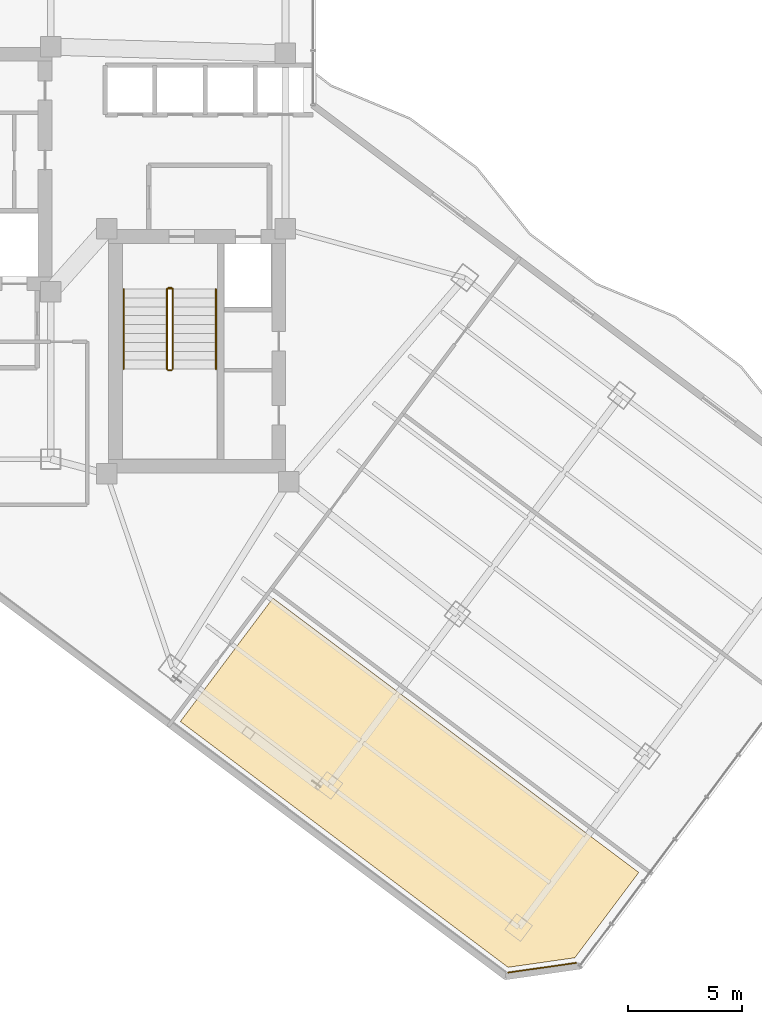
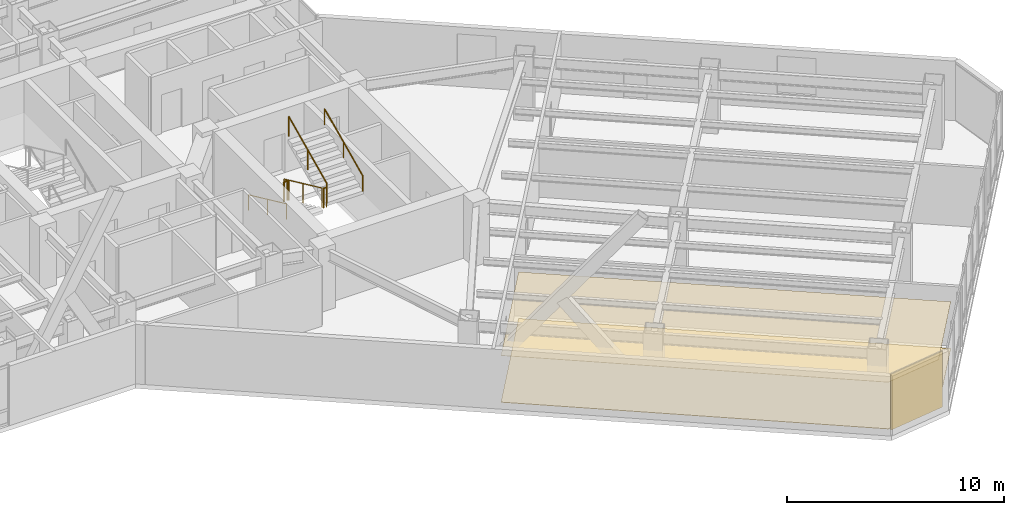
# One storey, part 26 of 29: 7 railings, 3 coverings.
"""IFC4 building model written with IfcOpenShell, lengths in metres."""

from ifc_helpers import new_model, si_unit, direction, frame, origin, origin_2d, place, context, subcontext, project, spatial, polyline, rectangle, circle, outline, extrude, material, layer, layer_set, type_object, element, save


model = new_model("IFC4")

# Units and contexts
model_context = context("Model", 3, precision=1e-05, world=origin(), true_north=direction((0.0, 1.0)))
body_context = subcontext(model_context, "Body", "Model", "MODEL_VIEW")
ifc_project = project(units=[si_unit("LENGTHUNIT", "METRE"), si_unit("AREAUNIT", "SQUARE_METRE"), si_unit("VOLUMEUNIT", "CUBIC_METRE"), si_unit("PLANEANGLEUNIT", "RADIAN"), si_unit("MASSUNIT", "GRAM", prefix="KILO")], contexts=[model_context])

# Site, building, storey
site_placement = place(None, origin())
site = spatial("IfcSite", under=ifc_project, at=site_placement, CompositionType="ELEMENT")
building_placement = place(site_placement, origin())
building = spatial("IfcBuilding", under=site, at=building_placement, Name="Hatsunagi Terrace Concourse", CompositionType="ELEMENT")
storey_placement = place(building_placement, frame((0.0, 0.0, 119.25)))
storey = spatial("IfcBuildingStorey", under=building, at=storey_placement, Name="L31", CompositionType="ELEMENT", Elevation=119.25)

# Coverings
ifc_material_1 = material(Name="Acoustic mineral board", Category="gypsum")
ifc_layer_1 = layer(ifc_material_1, 0.02001953125)
ifc_layer_set_1 = layer_set([ifc_layer_1], Name="AcousticMineralCeiling_20")
covering_type_1 = type_object("IfcCoveringType", Name="AcousticMineralCeiling_20", PredefinedType="CEILING", material=ifc_layer_set_1)
covering_1_placement = place(storey_placement, frame((0.0, 0.0, 2.6298828125)))
element("IfcCovering", 1, at=covering_1_placement, inside=storey, type_object=covering_type_1, Name="Suspended Ceiling L31-1", PredefinedType="CEILING", context=body_context, shape_type="SweptSolid", body=[
    extrude(outline(polyline([(56.347900390625, 3.31396484375), (59.156005859375, 7.05810546875), (43.10009765625, 19.10009765625), (39.0380859375, 13.68408203125), (53.422119140625, 2.89599609375), (56.347900390625, 3.31396484375)])), origin(), (0.0, 0.0, 1.0), 0.02001953125),
])
ifc_material_2 = material(Name="Granite stone paving", Category="masonry")
ifc_layer_2 = layer(ifc_material_2, 0.02490234375)
ifc_layer_set_2 = layer_set([ifc_layer_2], Name="GraniteStoneFlooring_25")
covering_type_2 = type_object("IfcCoveringType", Name="GraniteStoneFlooring_25", PredefinedType="FLOORING", material=ifc_layer_set_2)
covering_2_placement = place(storey_placement, origin())
element("IfcCovering", 2, at=covering_2_placement, inside=storey, type_object=covering_type_2, Name="Finished Flooring L31-1", PredefinedType="FLOORING", context=body_context, shape_type="SweptSolid", body=[
    extrude(outline(polyline([(56.347900390625, 3.31396484375), (59.156005859375, 7.05810546875), (43.10009765625, 19.10009765625), (39.0380859375, 13.68408203125), (53.422119140625, 2.89599609375), (56.347900390625, 3.31396484375)])), origin(), (0.0, 0.0, 1.0), 0.02490234375),
])

# Railings
ifc_material_3 = material(Name="Stainless steel", Category="steel")
ifc_layer_3 = layer(ifc_material_3, 0.044921875)
ifc_layer_set_3 = layer_set([ifc_layer_3], Name="StairPitchHandrail_Tower2000")
railing_type_1 = type_object("IfcRailingType", Name="StairPitchHandrail_Tower2000", PredefinedType="HANDRAIL", material=ifc_layer_set_3)
railing_1_placement = place(storey_placement, frame((36.550048828125, 32.659912109375, 0.179931640625)))
element("IfcRailing", 3, at=railing_1_placement, inside=storey, type_object=railing_type_1, Name="L31 ST-B stair handrail 1", PredefinedType="HANDRAIL", context=body_context, shape_type="SweptSolid", body=[
    extrude(circle(Radius=0.02392578125, at=origin_2d()), frame((0.0, 0.0, 0.8759765625), z_axis=(0.0, -0.907948293929, 0.419082206198), x_axis=(1.0, 0.0, 0.0)), (0.0, 0.0, 1.0), 3.865966796875),
    extrude(circle(Radius=0.02099609375, at=origin_2d()), origin(), (0.0, 0.0, 1.0), 0.851806640625),
    extrude(circle(Radius=0.02099609375, at=origin_2d()), frame((0.0, -1.7548828125, 0.81005859375)), (0.0, 0.0, 1.0), 0.851806640625),
    extrude(circle(Radius=0.02099609375, at=origin_2d()), frame((0.0, -3.510009765625, 1.6201171875)), (0.0, 0.0, 1.0), 0.851806640625),
])
railing_2_placement = place(storey_placement, frame((40.60009765625, 29.14990234375, 1.97998046875)))
element("IfcRailing", 4, at=railing_2_placement, inside=storey, type_object=railing_type_1, Name="L31 ST-B stair handrail 2", PredefinedType="HANDRAIL", context=body_context, shape_type="SweptSolid", body=[
    extrude(circle(Radius=0.02392578125, at=origin_2d()), frame((0.0, 0.0, 0.8759765625), z_axis=(0.0, 0.907948293929, 0.419082206198), x_axis=(-1.0, 0.0, 0.0)), (0.0, 0.0, 1.0), 3.865966796875),
    extrude(circle(Radius=0.02099609375, at=origin_2d()), origin(), (0.0, 0.0, 1.0), 0.851806640625),
    extrude(circle(Radius=0.02099609375, at=origin_2d()), frame((0.0, 1.7548828125, 0.81005859375)), (0.0, 0.0, 1.0), 0.851806640625),
    extrude(circle(Radius=0.02099609375, at=origin_2d()), frame((0.0, 3.510009765625, 1.6201171875)), (0.0, 0.0, 1.0), 0.851806640625),
])
ifc_material_4 = material(Name="Stainless steel", Category="steel")
ifc_layer_4 = layer(ifc_material_4, 0.06005859375)
ifc_layer_set_4 = layer_set([ifc_layer_4], Name="StairWellGuard_Tower2000")
railing_type_2 = type_object("IfcRailingType", Name="StairWellGuard_Tower2000", PredefinedType="BALUSTRADE", material=ifc_layer_set_4)
railing_3_placement = place(storey_placement, frame((38.449951171875, 32.659912109375, 0.179931640625)))
element("IfcRailing", 5, at=railing_3_placement, inside=storey, type_object=railing_type_2, Name="L31 ST-B stair guard 1", PredefinedType="BALUSTRADE", context=body_context, shape_type="SweptSolid", body=[
    extrude(circle(Radius=0.02392578125, at=origin_2d()), frame((0.0, 0.0, 1.09619140625), z_axis=(0.0, -0.907948293929, 0.419082206198), x_axis=(1.0, 0.0, 0.0)), (0.0, 0.0, 1.0), 3.865966796875),
    extrude(circle(Radius=0.02099609375, at=origin_2d()), origin(), (0.0, 0.0, 1.0), 1.072021484375),
    extrude(circle(Radius=0.02099609375, at=origin_2d()), frame((0.0, -1.7548828125, 0.81005859375)), (0.0, 0.0, 1.0), 1.072021484375),
    extrude(circle(Radius=0.02099609375, at=origin_2d()), frame((0.0, -3.510009765625, 1.6201171875)), (0.0, 0.0, 1.0), 1.072021484375),
])
railing_4_placement = place(storey_placement, frame((38.5, 29.10009765625, 1.800048828125)))
element("IfcRailing", 6, at=railing_4_placement, inside=storey, type_object=railing_type_2, Name="L31 ST-B stair guard 2", PredefinedType="BALUSTRADE", context=body_context, shape_type="SweptSolid", body=[
    extrude(circle(Radius=0.02392578125, at=origin_2d()), frame((0.0, 0.0, 1.09619140625), z_axis=(1.0, 0.0, 0.0), x_axis=(0.0, 1.0, 0.0)), (0.0, 0.0, 1.0), 0.14990234375),
    extrude(circle(Radius=0.02099609375, at=origin_2d()), origin(), (0.0, 0.0, 1.0), 1.072021484375),
    extrude(circle(Radius=0.02099609375, at=origin_2d()), frame((0.14990234375, 0.0, 0.0)), (0.0, 0.0, 1.0), 1.072021484375),
])
railing_5_placement = place(storey_placement, frame((38.699951171875, 29.14990234375, 1.97998046875)))
element("IfcRailing", 7, at=railing_5_placement, inside=storey, type_object=railing_type_2, Name="L31 ST-B stair guard 3", PredefinedType="BALUSTRADE", context=body_context, shape_type="SweptSolid", body=[
    extrude(circle(Radius=0.02392578125, at=origin_2d()), frame((0.0, 0.0, 1.09619140625), z_axis=(0.0, 0.907948293929, 0.419082206198), x_axis=(-1.0, 0.0, 0.0)), (0.0, 0.0, 1.0), 3.865966796875),
    extrude(circle(Radius=0.02099609375, at=origin_2d()), origin(), (0.0, 0.0, 1.0), 1.072021484375),
    extrude(circle(Radius=0.02099609375, at=origin_2d()), frame((0.0, 1.7548828125, 0.81005859375)), (0.0, 0.0, 1.0), 1.072021484375),
    extrude(circle(Radius=0.02099609375, at=origin_2d()), frame((0.0, 3.510009765625, 1.6201171875)), (0.0, 0.0, 1.0), 1.072021484375),
])
railing_6_placement = place(storey_placement, frame((38.5, 32.7099609375, 0.0)))
element("IfcRailing", 8, at=railing_6_placement, inside=storey, type_object=railing_type_2, Name="L31 ST-B stair guard 4", PredefinedType="BALUSTRADE", context=body_context, shape_type="SweptSolid", body=[
    extrude(circle(Radius=0.02392578125, at=origin_2d()), frame((0.0, 0.0, 1.09619140625), z_axis=(1.0, 0.0, 0.0), x_axis=(0.0, 1.0, 0.0)), (0.0, 0.0, 1.0), 0.14990234375),
    extrude(circle(Radius=0.02099609375, at=origin_2d()), origin(), (0.0, 0.0, 1.0), 1.072021484375),
    extrude(circle(Radius=0.02099609375, at=origin_2d()), frame((0.14990234375, 0.0, 0.0)), (0.0, 0.0, 1.0), 1.072021484375),
])
ifc_material_5 = material(Name="Stainless Steel SUS316 Post-and-Rail Guard", Category="steel")
ifc_layer_5 = layer(ifc_material_5, 0.080078125)
ifc_layer_set_5 = layer_set([ifc_layer_5], Name="TerracePlantedGuardRail_1200")
railing_type_3 = type_object("IfcRailingType", Name="TerracePlantedGuardRail_1200", PredefinedType="GUARDRAIL", material=ifc_layer_set_5)
railing_7_placement = place(storey_placement, frame((38.449951171875, 32.679931640625, 0.0)))
element("IfcRailing", 9, at=railing_7_placement, inside=storey, type_object=railing_type_3, Name="Stair ST-B Well Closure Guard L31", PredefinedType="GUARDRAIL", context=body_context, shape_type="SweptSolid", body=[
    extrude(circle(Radius=0.02392578125, at=origin_2d()), frame((0.0, 0.0, 1.09619140625), z_axis=(1.0, 0.0, 0.0), x_axis=(0.0, 1.0, 0.0)), (0.0, 0.0, 1.0), 0.25),
    extrude(circle(Radius=0.02099609375, at=origin_2d()), origin(), (0.0, 0.0, 1.0), 1.072021484375),
    extrude(circle(Radius=0.02099609375, at=origin_2d()), frame((0.25, 0.0, 0.0)), (0.0, 0.0, 1.0), 1.072021484375),
])

# Covering
ifc_material_6 = material(Name="Unglazed Warm Terracotta Rainscreen Tile", Category="masonry")
ifc_layer_6 = layer(ifc_material_6, 0.044921875)
ifc_layer_set_6 = layer_set([ifc_layer_6], Name="TerracottaRainscreenCladding_45")
covering_type_3 = type_object("IfcCoveringType", Name="TerracottaRainscreenCladding_45", PredefinedType="CLADDING", material=ifc_layer_set_6)
covering_3_placement = place(storey_placement, frame((54.91796875, 2.87890625, 0.10009765625), z_axis=(0.0, 0.0, 1.0), x_axis=(-0.989973920543, -0.141250262458, 0.0)))
element("IfcCovering", 10, at=covering_3_placement, inside=storey, type_object=covering_type_3, Name="Terracotta Rainscreen Cladding L31-04", PredefinedType="CLADDING", context=body_context, shape_type="SweptSolid", body=[
    extrude(rectangle(XDim=3.0380859375, YDim=0.044921875, at=origin_2d()), origin(), (0.0, 0.0, 1.0), 3.14990234375),
])

save(model, "model.ifc")
